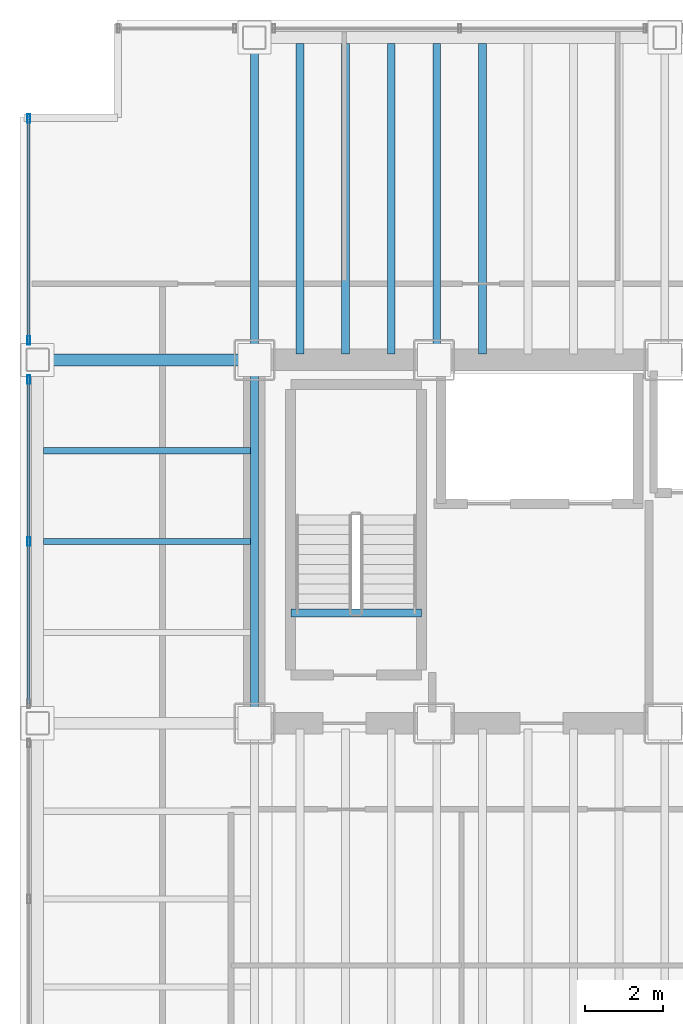
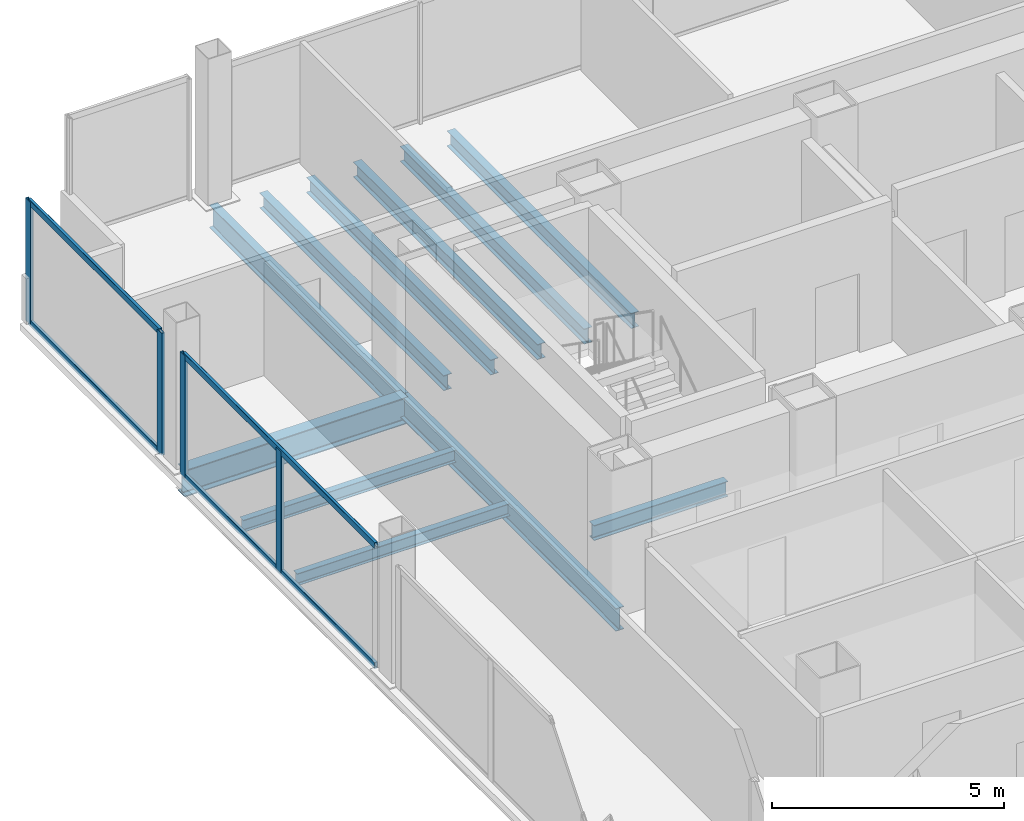
# One storey, part 6 of 20: 11 beams, 8 members, 2 elements without a shape of their own.
"""IFC4 building model written with IfcOpenShell, lengths in metres."""

from ifc_helpers import new_model, si_unit, direction, frame, origin, origin_2d, place, context, subcontext, project, spatial, hollow_rectangle, i_section, extrude, material, material_profile, profile_set, type_object, element, aggregate, save


model = new_model("IFC4")

# Units and contexts
model_context = context("Model", 3, precision=1e-05, world=origin(), true_north=direction((0.0, 1.0)))
body_context = subcontext(model_context, "Body", "Model", "MODEL_VIEW")
ifc_project = project(units=[si_unit("LENGTHUNIT", "METRE"), si_unit("AREAUNIT", "SQUARE_METRE"), si_unit("VOLUMEUNIT", "CUBIC_METRE"), si_unit("PLANEANGLEUNIT", "RADIAN"), si_unit("MASSUNIT", "GRAM", prefix="KILO")], contexts=[model_context])

# Site, building, storey
site_placement = place(None, origin())
site = spatial("IfcSite", under=ifc_project, at=site_placement, CompositionType="ELEMENT")
building_placement = place(site_placement, origin())
building = spatial("IfcBuilding", under=site, at=building_placement, Name="Noeulbin Bourse Tower", CompositionType="ELEMENT")
storey_placement = place(building_placement, frame((0.0, 0.0, 69.39990234375)))
storey = spatial("IfcBuildingStorey", under=building, at=storey_placement, Name="L17", CompositionType="ELEMENT", Elevation=69.39990234375)

# Beams
ifc_material_1 = material(Name="Steel S355", Category="steel")
ifc_material_profile_1 = material_profile(ifc_material_1, i_section(OverallWidth=0.199951171875, OverallDepth=0.60009765625, WebThickness=0.010986328125, FlangeThickness=0.01708984375, FilletRadius=0.02197265625, at=origin_2d()), Name="H-600x200x11x17", Category="LoadBearing")
ifc_profile_set_1 = profile_set([ifc_material_profile_1], Name="Steel S355")
beam_type_1 = type_object("IfcBeamType", Name="BM-GRD-600", PredefinedType="USERDEFINED", material=ifc_profile_set_1)
beam_1_placement = place(storey_placement, frame((13.5, 29.0, -0.47998046875), z_axis=(0.0, 1.0, 0.0), x_axis=(-1.0, 0.0, 0.0)))
element("IfcBeam", 1, at=beam_1_placement, inside=storey, type_object=beam_type_1, Name="Tower Primary Girder NS L17-1.3", ObjectType="GIRDER", PredefinedType="USERDEFINED", context=body_context, shape_type="SweptSolid", body=[
    extrude(i_section(OverallWidth=0.199951171875, OverallDepth=0.60009765625, WebThickness=0.010986328125, FlangeThickness=0.01708984375, FilletRadius=0.02197265625, at=origin_2d()), origin(), (0.0, 0.0, 1.0), 9.300048828125),
])
beam_2_placement = place(storey_placement, frame((13.5, 38.300048828125, -0.47998046875), z_axis=(0.0, 1.0, 0.0), x_axis=(-1.0, 0.0, 0.0)))
element("IfcBeam", 2, at=beam_2_placement, inside=storey, type_object=beam_type_1, Name="Tower Primary Girder NS L17-1.4", ObjectType="GIRDER", PredefinedType="USERDEFINED", context=body_context, shape_type="SweptSolid", body=[
    extrude(i_section(OverallWidth=0.199951171875, OverallDepth=0.60009765625, WebThickness=0.010986328125, FlangeThickness=0.01708984375, FilletRadius=0.02197265625, at=origin_2d()), origin(), (0.0, 0.0, 1.0), 8.25),
])
ifc_material_profile_2 = material_profile(ifc_material_1, i_section(OverallWidth=0.300048828125, OverallDepth=0.699951171875, WebThickness=0.012939453125, FlangeThickness=0.02392578125, FilletRadius=0.02392578125, at=origin_2d()), Name="H-700x300x13x24", Category="LoadBearing")
ifc_profile_set_2 = profile_set([ifc_material_profile_2], Name="Steel S355")
beam_type_2 = type_object("IfcBeamType", Name="BM-GRD-700", PredefinedType="USERDEFINED", material=ifc_profile_set_2)
beam_3_placement = place(storey_placement, frame((7.949951171875, 38.300048828125, -0.52978515625), z_axis=(1.0, 0.0, 0.0), x_axis=(0.0, 1.0, 0.0)))
element("IfcBeam", 3, at=beam_3_placement, inside=storey, type_object=beam_type_2, Name="Tower Primary Girder EW L17-3.1", ObjectType="GIRDER", PredefinedType="USERDEFINED", context=body_context, shape_type="SweptSolid", body=[
    extrude(i_section(OverallWidth=0.300048828125, OverallDepth=0.699951171875, WebThickness=0.012939453125, FlangeThickness=0.02392578125, FilletRadius=0.02392578125, at=origin_2d()), origin(), (0.0, 0.0, 1.0), 5.550048828125),
])
ifc_material_profile_3 = material_profile(ifc_material_1, i_section(OverallWidth=0.159912109375, OverallDepth=0.320068359375, WebThickness=0.006591796875, FlangeThickness=0.010009765625, FilletRadius=0.012939453125, at=origin_2d()), Name="H-320x160x6.5x10", Category="LoadBearing")
ifc_profile_set_3 = profile_set([ifc_material_profile_3], Name="Steel S355")
beam_type_3 = type_object("IfcBeamType", Name="BM-JST-320", PredefinedType="JOIST", material=ifc_profile_set_3)
for number, where, z_axis, x_axis, name in (
    (4, (8.10009765625, 33.64990234375, -0.33984375), (1.0, 0.0, 0.0), (0.0, 1.0, 0.0), "Wing Composite Joist L17-W74"),
    (5, (8.10009765625, 35.97509765625, -0.33984375), (1.0, 0.0, 0.0), (0.0, 1.0, 0.0), "Wing Composite Joist L17-W75"),
):
    element("IfcBeam", number, at=place(storey_placement, frame(where, z_axis=z_axis, x_axis=x_axis)), inside=storey, type_object=beam_type_3, Name=name, PredefinedType="JOIST", context=body_context, shape_type="SweptSolid", body=[
        extrude(i_section(OverallWidth=0.159912109375, OverallDepth=0.320068359375, WebThickness=0.006591796875, FlangeThickness=0.010009765625, FilletRadius=0.012939453125, at=origin_2d()), origin(), (0.0, 0.0, 1.0), 5.2998046875),
    ])
ifc_material_profile_4 = material_profile(ifc_material_1, i_section(OverallWidth=0.199951171875, OverallDepth=0.39990234375, WebThickness=0.008056640625, FlangeThickness=0.012939453125, FilletRadius=0.01611328125, at=origin_2d()), Name="H-400x200x8x13", Category="LoadBearing")
ifc_profile_set_4 = profile_set([ifc_material_profile_4], Name="Steel S355")
beam_type_4 = type_object("IfcBeamType", Name="BM-SEC-400", PredefinedType="BEAM", material=ifc_profile_set_4)
for number, where, z_axis, x_axis, name in (
    (6, (14.666748046875, 38.449951171875, -0.3798828125), (0.0, 1.0, 0.0), (-1.0, 0.0, 0.0), "Tower Composite Joist L17-03"),
    (7, (15.833251953125, 38.449951171875, -0.3798828125), (0.0, 1.0, 0.0), (-1.0, 0.0, 0.0), "Tower Composite Joist L17-06"),
    (8, (17.0, 38.449951171875, -0.3798828125), (0.0, 1.0, 0.0), (-1.0, 0.0, 0.0), "Tower Composite Joist L17-09"),
    (9, (18.166748046875, 38.449951171875, -0.3798828125), (0.0, 1.0, 0.0), (-1.0, 0.0, 0.0), "Tower Composite Joist L17-12"),
    (10, (19.333251953125, 38.449951171875, -0.3798828125), (0.0, 1.0, 0.0), (-1.0, 0.0, 0.0), "Tower Composite Joist L17-15"),
):
    element("IfcBeam", number, at=place(storey_placement, frame(where, z_axis=z_axis, x_axis=x_axis)), inside=storey, type_object=beam_type_4, Name=name, PredefinedType="BEAM", context=body_context, shape_type="SweptSolid", body=[
        extrude(i_section(OverallWidth=0.199951171875, OverallDepth=0.39990234375, WebThickness=0.008056640625, FlangeThickness=0.012939453125, FilletRadius=0.01611328125, at=origin_2d()), origin(), (0.0, 0.0, 1.0), 7.949951171875),
    ])
beam_4_placement = place(storey_placement, frame((14.429931640625, 31.820068359375, -0.199951171875), z_axis=(1.0, 0.0, 0.0), x_axis=(0.0, 1.0, 0.0)))
element("IfcBeam", 11, at=beam_4_placement, inside=storey, type_object=beam_type_4, Name="Stair Threshold Trimmer Beam ST1-L17", PredefinedType="BEAM", context=body_context, shape_type="SweptSolid", body=[
    extrude(i_section(OverallWidth=0.199951171875, OverallDepth=0.39990234375, WebThickness=0.008056640625, FlangeThickness=0.012939453125, FilletRadius=0.01611328125, at=origin_2d()), origin(), (0.0, 0.0, 1.0), 3.340087890625),
])

# Curtain wall, members
ifc_material_2 = material(Name="Dark Solar-Control Double Glazing", Category="glass")
curtain_wall_type = type_object("IfcCurtainWallType", Name="CW-SYS-2", PredefinedType="NOTDEFINED", material=ifc_material_2)
curtain_wall_1_placement = place(storey_placement, origin())
curtain_wall_1 = element("IfcCurtainWall", 12, at=curtain_wall_1_placement, inside=storey, type_object=curtain_wall_type, Name="Unitised Curtain Wall CW-L17-W-S3", PredefinedType="NOTDEFINED")
ifc_material_3 = material(Name="Anodised Aluminium 6063-T6", Category="aluminium")
ifc_material_profile_5 = material_profile(ifc_material_3, hollow_rectangle(XDim=0.074951171875, YDim=0.219970703125, WallThickness=0.0048828125, InnerFilletRadius=0.00244140625, OuterFilletRadius=0.0048828125, at=origin_2d()), Name="ALU-MULL-75x220x5", Category="LoadBearing")
ifc_profile_set_5 = profile_set([ifc_material_profile_5], Name="Anodised Aluminium 6063-T6")
member_type_1 = type_object("IfcMemberType", Name="CW-SYS-2-MUL", PredefinedType="MULLION", material=ifc_profile_set_5)
member_1_placement = place(storey_placement, frame((7.719970703125, 33.64990234375, -0.02001953125), z_axis=(0.0, 0.0, 1.0), x_axis=(1.0, 0.0, 0.0)))
member_1 = element("IfcMember", 13, at=member_1_placement, type_object=member_type_1, Name="Curtain Wall Mullion CW-L17-W-S3-M01", PredefinedType="MULLION", context=body_context, shape_type="SweptSolid", body=[
    extrude(hollow_rectangle(XDim=0.074951171875, YDim=0.219970703125, WallThickness=0.0048828125, InnerFilletRadius=0.00244140625, OuterFilletRadius=0.0048828125, at=origin_2d()), origin(), (0.0, 0.0, 1.0), 3.22021484375),
])
member_2_placement = place(storey_placement, frame((7.719970703125, 37.800048828125, -0.02001953125), z_axis=(0.0, 0.0, 1.0), x_axis=(1.0, 0.0, 0.0)))
member_2 = element("IfcMember", 14, at=member_2_placement, type_object=member_type_1, Name="Curtain Wall Mullion CW-L17-W-S3-M02", PredefinedType="MULLION", context=body_context, shape_type="SweptSolid", body=[
    extrude(hollow_rectangle(XDim=0.074951171875, YDim=0.219970703125, WallThickness=0.0048828125, InnerFilletRadius=0.00244140625, OuterFilletRadius=0.0048828125, at=origin_2d()), origin(), (0.0, 0.0, 1.0), 3.22021484375),
])

curtain_wall_2_placement = place(storey_placement, origin())
curtain_wall_2 = element("IfcCurtainWall", 15, at=curtain_wall_2_placement, inside=storey, type_object=curtain_wall_type, Name="Unitised Curtain Wall CW-L17-W-S4", PredefinedType="NOTDEFINED")
member_3_placement = place(storey_placement, frame((7.719970703125, 38.800048828125, -0.02001953125), z_axis=(0.0, 0.0, 1.0), x_axis=(1.0, 0.0, 0.0)))
member_3 = element("IfcMember", 16, at=member_3_placement, type_object=member_type_1, Name="Curtain Wall Mullion CW-L17-W-S4-M00", PredefinedType="MULLION", context=body_context, shape_type="SweptSolid", body=[
    extrude(hollow_rectangle(XDim=0.074951171875, YDim=0.219970703125, WallThickness=0.0048828125, InnerFilletRadius=0.00244140625, OuterFilletRadius=0.0048828125, at=origin_2d()), origin(), (0.0, 0.0, 1.0), 3.22021484375),
])
member_4_placement = place(storey_placement, frame((7.719970703125, 44.47998046875, -0.02001953125), z_axis=(0.0, 0.0, 1.0), x_axis=(1.0, 0.0, 0.0)))
member_4 = element("IfcMember", 17, at=member_4_placement, type_object=member_type_1, Name="Curtain Wall Mullion CW-L17-W-S4-M01", PredefinedType="MULLION", context=body_context, shape_type="SweptSolid", body=[
    extrude(hollow_rectangle(XDim=0.074951171875, YDim=0.219970703125, WallThickness=0.0048828125, InnerFilletRadius=0.00244140625, OuterFilletRadius=0.0048828125, at=origin_2d()), origin(), (0.0, 0.0, 1.0), 3.22021484375),
])

# Member
ifc_material_profile_6 = material_profile(ifc_material_3, hollow_rectangle(XDim=0.074951171875, YDim=0.159912109375, WallThickness=0.0048828125, InnerFilletRadius=0.00244140625, OuterFilletRadius=0.0048828125, at=origin_2d()), Name="ALU-TRAN-75x160x5", Category="LoadBearing")
ifc_profile_set_6 = profile_set([ifc_material_profile_6], Name="Anodised Aluminium 6063-T6")
member_type_2 = type_object("IfcMemberType", Name="CW-SYS-2-TRN", PredefinedType="USERDEFINED", material=ifc_profile_set_6)
member_5_placement = place(storey_placement, frame((7.719970703125, 29.510009765625, 0.010009765625), z_axis=(0.0, 1.0, 0.0), x_axis=(-1.0, 0.0, 0.0)))
member_5 = element("IfcMember", 18, at=member_5_placement, type_object=member_type_2, Name="Curtain Wall Transom CW-L17-W-S3-T00", ObjectType="TRANSOM", PredefinedType="USERDEFINED", context=body_context, shape_type="SweptSolid", body=[
    extrude(hollow_rectangle(XDim=0.074951171875, YDim=0.159912109375, WallThickness=0.0048828125, InnerFilletRadius=0.00244140625, OuterFilletRadius=0.0048828125, at=origin_2d()), origin(), (0.0, 0.0, 1.0), 8.280029296875),
])

member_6_placement = place(storey_placement, frame((7.719970703125, 29.510009765625, 3.170166015625), z_axis=(0.0, 1.0, 0.0), x_axis=(-1.0, 0.0, 0.0)))
member_6 = element("IfcMember", 19, at=member_6_placement, type_object=member_type_2, Name="Curtain Wall Transom CW-L17-W-S3-T01", ObjectType="TRANSOM", PredefinedType="USERDEFINED", context=body_context, shape_type="SweptSolid", body=[
    extrude(hollow_rectangle(XDim=0.074951171875, YDim=0.159912109375, WallThickness=0.0048828125, InnerFilletRadius=0.00244140625, OuterFilletRadius=0.0048828125, at=origin_2d()), origin(), (0.0, 0.0, 1.0), 8.280029296875),
])

aggregate(curtain_wall_1, [member_1, member_2, member_5, member_6])

member_7_placement = place(storey_placement, frame((7.719970703125, 38.81005859375, 0.010009765625), z_axis=(0.0, 1.0, 0.0), x_axis=(-1.0, 0.0, 0.0)))
member_7 = element("IfcMember", 20, at=member_7_placement, type_object=member_type_2, Name="Curtain Wall Transom CW-L17-W-S4-T00", ObjectType="TRANSOM", PredefinedType="USERDEFINED", context=body_context, shape_type="SweptSolid", body=[
    extrude(hollow_rectangle(XDim=0.074951171875, YDim=0.159912109375, WallThickness=0.0048828125, InnerFilletRadius=0.00244140625, OuterFilletRadius=0.0048828125, at=origin_2d()), origin(), (0.0, 0.0, 1.0), 5.659912109375),
])

member_8_placement = place(storey_placement, frame((7.719970703125, 38.81005859375, 3.170166015625), z_axis=(0.0, 1.0, 0.0), x_axis=(-1.0, 0.0, 0.0)))
member_8 = element("IfcMember", 21, at=member_8_placement, type_object=member_type_2, Name="Curtain Wall Transom CW-L17-W-S4-T01", ObjectType="TRANSOM", PredefinedType="USERDEFINED", context=body_context, shape_type="SweptSolid", body=[
    extrude(hollow_rectangle(XDim=0.074951171875, YDim=0.159912109375, WallThickness=0.0048828125, InnerFilletRadius=0.00244140625, OuterFilletRadius=0.0048828125, at=origin_2d()), origin(), (0.0, 0.0, 1.0), 5.659912109375),
])

aggregate(curtain_wall_2, [member_3, member_4, member_7, member_8])

save(model, "model.ifc")
